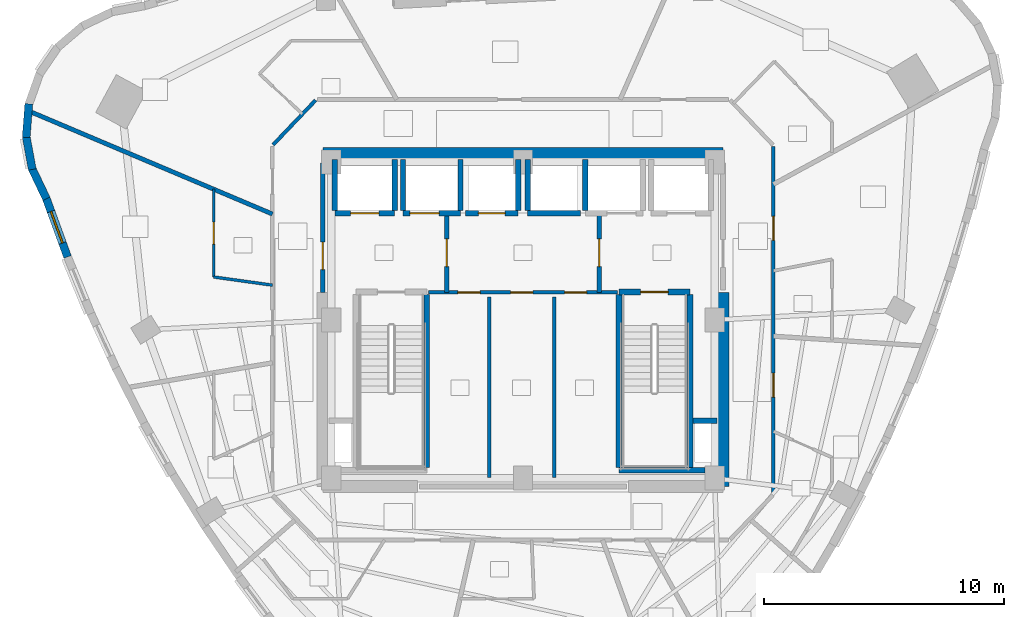
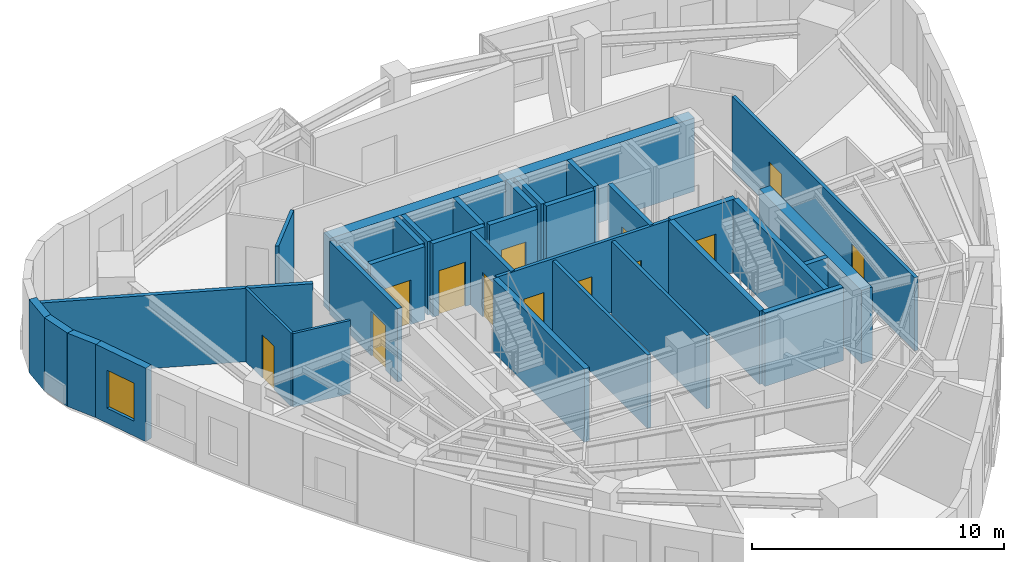
# One storey, part 6 of 11: 34 walls, 13 doors, 1 window, 14 openings.
"""IFC4 building model written with IfcOpenShell, lengths in metres."""

from ifc_helpers import new_model, si_unit, direction, frame, frame_2d, origin, place, context, subcontext, project, spatial, rectangle, extrude, material, layer, layer_set, type_object, element, fill, save


model = new_model("IFC4")

# Units and contexts
model_context = context("Model", 3, precision=1e-05, world=origin(), true_north=direction((0.0, 1.0)))
body_context = subcontext(model_context, "Body", "Model", "MODEL_VIEW")
ifc_project = project(units=[si_unit("LENGTHUNIT", "METRE"), si_unit("AREAUNIT", "SQUARE_METRE"), si_unit("VOLUMEUNIT", "CUBIC_METRE"), si_unit("PLANEANGLEUNIT", "RADIAN"), si_unit("MASSUNIT", "GRAM", prefix="KILO")], contexts=[model_context])

# Site, building, storey
site_placement = place(None, origin())
site = spatial("IfcSite", under=ifc_project, at=site_placement, CompositionType="ELEMENT")
building_placement = place(site_placement, origin())
building = spatial("IfcBuilding", under=site, at=building_placement, Name="Ndelora Gate Hotel", CompositionType="ELEMENT")
storey_placement = place(building_placement, frame((0.0, 0.0, 216.949951171875)))
storey = spatial("IfcBuildingStorey", under=building, at=storey_placement, Name="L54", CompositionType="ELEMENT", Elevation=216.949951171875)

# Walls
ifc_material_1 = material(Name="Acoustic Double-Stud Gypsum Assembly", Category="gypsum")
ifc_layer_1 = layer(ifc_material_1, 0.179931640625)
ifc_layer_set_1 = layer_set([ifc_layer_1], Name="Acoustic Double-Stud Gypsum Assembly")
wall_type_1 = type_object("IfcWallType", Name="WL-ACOUST-180", PredefinedType="PARTITIONING", material=ifc_layer_set_1)
wall_1_placement = place(storey_placement, frame((-10.449951171875, 4.419189453125, 0.0), z_axis=(0.0, 0.0, 1.0), x_axis=(-0.921035485522, 0.389478670032, 0.0)))
element("IfcWall", 1, at=wall_1_placement, inside=storey, type_object=wall_type_1, Name="L54 Interior Wall IW-3", PredefinedType="PARTITIONING", context=body_context, shape_type="SweptSolid", body=[
    extrude(rectangle(XDim=11.059326171875, YDim=0.179931640625, at=frame_2d((5.52978515625, 0.0))), origin(), (0.0, 0.0, 1.0), 3.550048828125),
])
ifc_material_2 = material(Name="Clay Brick Masonry", Category="masonry")
ifc_layer_2 = layer(ifc_material_2, 0.330078125)
ifc_layer_set_2 = layer_set([ifc_layer_2], Name="Clay Brick Masonry")
wall_type_2 = type_object("IfcWallType", Name="WL-BRICK-330", PredefinedType="SOLIDWALL", material=ifc_layer_set_2)
wall_2_placement = place(storey_placement, frame((-20.7236328125, 7.615234375, 0.0), z_axis=(0.0, 0.0, 1.0), x_axis=(0.07857999626, 0.996907811278, 0.0)))
element("IfcWall", 2, at=wall_2_placement, inside=storey, type_object=wall_type_2, Name="L54 Tower Brick Pier-and-Spandrel Wall TWR-6", PredefinedType="SOLIDWALL", context=body_context, shape_type="SweptSolid", body=[
    extrude(rectangle(XDim=1.407470703125, YDim=0.330078125, at=frame_2d((0.70361328125, 0.0))), origin(), (0.0, 0.0, 1.0), 3.550048828125),
])
wall_3_placement = place(storey_placement, frame((-20.469482421875, 6.28076171875, 0.0), z_axis=(0.0, 0.0, 1.0), x_axis=(-0.182455673353, 0.983214080077, 0.0)))
element("IfcWall", 3, at=wall_3_placement, inside=storey, type_object=wall_type_2, Name="L54 Tower Brick Pier-and-Spandrel Wall TWR-7", PredefinedType="SOLIDWALL", context=body_context, shape_type="SweptSolid", body=[
    extrude(rectangle(XDim=1.40771484375, YDim=0.330078125, at=frame_2d((0.703857421875, 0.0))), origin(), (0.0, 0.0, 1.0), 3.550048828125),
])
wall_4_placement = place(storey_placement, frame((-19.87890625, 5.0576171875, 0.0), z_axis=(0.0, 0.0, 1.0), x_axis=(-0.430694266873, 0.902497893894, 0.0)))
element("IfcWall", 4, at=wall_4_placement, inside=storey, type_object=wall_type_2, Name="L54 Tower Brick Pier-and-Spandrel Wall TWR-8", PredefinedType="SOLIDWALL", context=body_context, shape_type="SweptSolid", body=[
    extrude(rectangle(XDim=1.407470703125, YDim=0.330078125, at=frame_2d((0.70361328125, 0.0))), origin(), (0.0, 0.0, 1.0), 3.550048828125),
])

# Wall, opening, window
wall_5_placement = place(storey_placement, frame((-18.998046875, 2.630615234375, 0.0), z_axis=(0.0, 0.0, 1.0), x_axis=(-0.342100538488, 0.939663355445, 0.0)))
wall_5 = element("IfcWall", 5, at=wall_5_placement, inside=storey, type_object=wall_type_2, Name="L54 Tower Brick Pier-and-Spandrel Wall TWR-9", PredefinedType="SOLIDWALL", context=body_context, shape_type="SweptSolid", body=[
    extrude(rectangle(XDim=2.6318359375, YDim=0.330078125, at=frame_2d((1.31591796875, 0.0))), origin(), (0.0, 0.0, 1.0), 3.550048828125),
])
opening_1_placement = place(wall_5_placement, frame((0.615966796875, 0.0, 0.719970703125)))
opening_1 = element("IfcOpeningElement", 6, at=opening_1_placement, cuts=wall_5, Name="Opening W02", PredefinedType="OPENING", context=body_context, shape_type="SweptSolid", body=[
    extrude(rectangle(XDim=1.39990234375, YDim=1.840087890625, at=frame_2d((0.699951171875, 0.919921875))), frame((0.0, 0.175048828125, 0.0), z_axis=(0.0, -1.0, 0.0), x_axis=(1.0, 0.0, 0.0)), (0.0, 0.0, 1.0), 0.35009765625),
])
ifc_material_3 = material(Name="Insulated Low-E Double Glazing in Bronze Aluminium Frame", Category="aluminium")
window_type = type_object("IfcWindowType", Name="WN-DEEP-1400", PartitioningType="SINGLE_PANEL", PredefinedType="WINDOW", material=ifc_material_3)
window_placement = place(opening_1_placement, origin())
window = element("IfcWindow", 7, at=window_placement, inside=storey, type_object=window_type, Name="L54 Deep-Set Brick-Pier Window W02", OverallHeight=1.840087890625, OverallWidth=1.39990234375, PartitioningType="SINGLE_PANEL", PredefinedType="WINDOW", context=body_context, shape_type="SweptSolid", body=[
    extrude(rectangle(XDim=1.39990234375, YDim=1.840087890625, at=frame_2d((0.699951171875, 0.919921875))), frame((0.0, 0.030029296875, 0.0), z_axis=(0.0, -1.0, 0.0), x_axis=(1.0, 0.0, 0.0)), (0.0, 0.0, 1.0), 0.06005859375),
])
fill(opening_1, window)

# Walls
ifc_material_4 = material(Name="Concrete C50/60", Category="concrete")
ifc_layer_3 = layer(ifc_material_4, 0.5)
ifc_layer_set_3 = layer_set([ifc_layer_3], Name="Concrete C50/60")
wall_type_3 = type_object("IfcWallType", Name="WL-CORE-500", PredefinedType="SHEAR", material=ifc_layer_set_3)
wall_6_placement = place(storey_placement, frame((-8.35009765625, 6.949951171875, 0.0), z_axis=(0.0, 0.0, 1.0), x_axis=(1.0, 0.0, 0.0)))
element("IfcWall", 8, at=wall_6_placement, inside=storey, type_object=wall_type_3, Name="L54 Core Shear Wall N", PredefinedType="SHEAR", context=body_context, shape_type="SweptSolid", body=[
    extrude(rectangle(XDim=16.7001953125, YDim=0.5, at=frame_2d((8.35009765625, 0.0))), origin(), (0.0, 0.0, 1.0), 3.550048828125),
])
wall_7_placement = place(storey_placement, frame((8.35009765625, -6.949951171875, 0.0), z_axis=(0.0, 0.0, 1.0), x_axis=(0.0, 1.0, 0.0)))
element("IfcWall", 9, at=wall_7_placement, inside=storey, type_object=wall_type_3, Name="L54 Core Shear Wall E", PredefinedType="SHEAR", context=body_context, shape_type="SweptSolid", body=[
    extrude(rectangle(XDim=8.099853515625, YDim=0.5, at=frame_2d((4.0498046875, 0.0))), origin(), (0.0, 0.0, 1.0), 3.550048828125),
])

# Wall, opening, door
ifc_material_5 = material(Name="Concrete C40/50", Category="concrete")
ifc_layer_4 = layer(ifc_material_5, 0.199951171875)
ifc_layer_set_4 = layer_set([ifc_layer_4], Name="Concrete C40/50")
wall_type_4 = type_object("IfcWallType", Name="WL-FIRE-200", PredefinedType="PARTITIONING", material=ifc_layer_set_4)
wall_8_placement = place(storey_placement, frame((-3.179931640625, 1.14990234375, 0.0), z_axis=(0.0, 0.0, 1.0), x_axis=(0.0, 1.0, 0.0)))
wall_8 = element("IfcWall", 10, at=wall_8_placement, inside=storey, type_object=wall_type_4, Name="L54 Interior Wall IW-2", PredefinedType="PARTITIONING", context=body_context, shape_type="SweptSolid", body=[
    extrude(rectangle(XDim=3.300048828125, YDim=0.199951171875, at=frame_2d((1.64990234375, 0.0))), origin(), (0.0, 0.0, 1.0), 3.550048828125),
])
opening_2_placement = place(wall_8_placement, frame((1.080078125, 0.0, 0.0)))
opening_2 = element("IfcOpeningElement", 11, at=opening_2_placement, cuts=wall_8, Name="Opening FD1", PredefinedType="OPENING", context=body_context, shape_type="SweptSolid", body=[
    extrude(rectangle(XDim=1.14990234375, YDim=2.14990234375, at=frame_2d((0.574951171875, 1.074951171875))), frame((0.0, 0.10986328125, 0.0), z_axis=(0.0, -1.0, 0.0), x_axis=(1.0, 0.0, 0.0)), (0.0, 0.0, 1.0), 0.219970703125),
])
ifc_material_6 = material(Name="Fire-Rated Timber-Veneer Steel Core", Category="steel")
door_type_1 = type_object("IfcDoorType", Name="DR-FD60", OperationType="SINGLE_SWING_LEFT", PredefinedType="DOOR", material=ifc_material_6)
door_1_placement = place(opening_2_placement, origin())
door_1 = element("IfcDoor", 12, at=door_1_placement, inside=storey, type_object=door_type_1, Name="L54 Firefighting Lobby West Door", OperationType="SINGLE_SWING_RIGHT", OverallHeight=2.14990234375, OverallWidth=1.14990234375, PredefinedType="DOOR", context=body_context, shape_type="SweptSolid", body=[
    extrude(rectangle(XDim=1.14990234375, YDim=2.14990234375, at=frame_2d((0.574951171875, 1.074951171875))), frame((0.0, 0.02490234375, 0.0), z_axis=(0.0, -1.0, 0.0), x_axis=(1.0, 0.0, 0.0)), (0.0, 0.0, 1.0), 0.050048828125),
])
fill(opening_2, door_1)

wall_9_placement = place(storey_placement, frame((3.179931640625, 1.14990234375, 0.0), z_axis=(0.0, 0.0, 1.0), x_axis=(0.0, 1.0, 0.0)))
wall_9 = element("IfcWall", 13, at=wall_9_placement, inside=storey, type_object=wall_type_4, Name="L54 Interior Wall IW-2", PredefinedType="PARTITIONING", context=body_context, shape_type="SweptSolid", body=[
    extrude(rectangle(XDim=3.300048828125, YDim=0.199951171875, at=frame_2d((1.64990234375, 0.0))), origin(), (0.0, 0.0, 1.0), 3.550048828125),
])
opening_3_placement = place(wall_9_placement, frame((1.080078125, 0.0, 0.0)))
opening_3 = element("IfcOpeningElement", 14, at=opening_3_placement, cuts=wall_9, Name="Opening FD1", PredefinedType="OPENING", context=body_context, shape_type="SweptSolid", body=[
    extrude(rectangle(XDim=1.14990234375, YDim=2.14990234375, at=frame_2d((0.574951171875, 1.074951171875))), frame((0.0, 0.10986328125, 0.0), z_axis=(0.0, -1.0, 0.0), x_axis=(1.0, 0.0, 0.0)), (0.0, 0.0, 1.0), 0.219970703125),
])
door_2_placement = place(opening_3_placement, origin())
door_2 = element("IfcDoor", 15, at=door_2_placement, inside=storey, type_object=door_type_1, Name="L54 Firefighting Lobby East Door", OperationType="SINGLE_SWING_LEFT", OverallHeight=2.14990234375, OverallWidth=1.14990234375, PredefinedType="DOOR", context=body_context, shape_type="SweptSolid", body=[
    extrude(rectangle(XDim=1.14990234375, YDim=2.14990234375, at=frame_2d((0.574951171875, 1.074951171875))), frame((0.0, 0.02490234375, 0.0), z_axis=(0.0, -1.0, 0.0), x_axis=(1.0, 0.0, 0.0)), (0.0, 0.0, 1.0), 0.050048828125),
])
fill(opening_3, door_2)

wall_10_placement = place(storey_placement, frame((-8.35009765625, 1.14990234375, 0.0), z_axis=(0.0, 0.0, 1.0), x_axis=(0.0, 1.0, 0.0)))
wall_10 = element("IfcWall", 16, at=wall_10_placement, inside=storey, type_object=wall_type_4, Name="L54 Interior Wall IW-2", PredefinedType="PARTITIONING", context=body_context, shape_type="SweptSolid", body=[
    extrude(rectangle(XDim=5.400146484375, YDim=0.199951171875, at=frame_2d((2.7001953125, 0.0))), origin(), (0.0, 0.0, 1.0), 3.550048828125),
])
opening_4_placement = place(wall_10_placement, frame((0.949951171875, 0.0, 0.0)))
opening_4 = element("IfcOpeningElement", 17, at=opening_4_placement, cuts=wall_10, Name="Opening FD1", PredefinedType="OPENING", context=body_context, shape_type="SweptSolid", body=[
    extrude(rectangle(XDim=1.14990234375, YDim=2.14990234375, at=frame_2d((0.574951171875, 1.074951171875))), frame((0.0, 0.10986328125, 0.0), z_axis=(0.0, -1.0, 0.0), x_axis=(1.0, 0.0, 0.0)), (0.0, 0.0, 1.0), 0.219970703125),
])
door_3_placement = place(opening_4_placement, origin())
door_3 = element("IfcDoor", 18, at=door_3_placement, inside=storey, type_object=door_type_1, Name="L54 Firefighting Lobby West Corridor Door", OperationType="SINGLE_SWING_LEFT", OverallHeight=2.14990234375, OverallWidth=1.14990234375, PredefinedType="DOOR", context=body_context, shape_type="SweptSolid", body=[
    extrude(rectangle(XDim=1.14990234375, YDim=2.14990234375, at=frame_2d((0.574951171875, 1.074951171875))), frame((0.0, 0.02490234375, 0.0), z_axis=(0.0, -1.0, 0.0), x_axis=(1.0, 0.0, 0.0)), (0.0, 0.0, 1.0), 0.050048828125),
])
fill(opening_4, door_3)

# Wall, openings, doors
ifc_material_7 = material(Name="Fire-Rated Gypsum Stud Partition", Category="gypsum")
ifc_layer_5 = layer(ifc_material_7, 0.14990234375)
ifc_layer_set_5 = layer_set([ifc_layer_5], Name="Fire-Rated Gypsum Stud Partition")
wall_type_5 = type_object("IfcWallType", Name="WL-PART-150", PredefinedType="PARTITIONING", material=ifc_layer_set_5)
wall_11_placement = place(storey_placement, frame((3.949951171875, 1.14990234375, 0.0), z_axis=(0.0, 0.0, 1.0), x_axis=(-1.0, 0.0, 0.0)))
wall_11 = element("IfcWall", 19, at=wall_11_placement, inside=storey, type_object=wall_type_5, Name="L54 Interior Wall IW-5", PredefinedType="PARTITIONING", context=body_context, shape_type="SweptSolid", body=[
    extrude(rectangle(XDim=7.89990234375, YDim=0.14990234375, at=frame_2d((3.949951171875, 0.0))), origin(), (0.0, 0.0, 1.0), 3.550048828125),
])
opening_5_placement = place(wall_11_placement, frame((5.739990234375, 0.0, 0.0)))
opening_5 = element("IfcOpeningElement", 20, at=opening_5_placement, cuts=wall_11, Name="Opening D04", PredefinedType="OPENING", context=body_context, shape_type="SweptSolid", body=[
    extrude(rectangle(XDim=0.919921875, YDim=2.050048828125, at=frame_2d((0.4599609375, 1.02490234375))), frame((0.0, 0.0849609375, 0.0), z_axis=(0.0, -1.0, 0.0), x_axis=(1.0, 0.0, 0.0)), (0.0, 0.0, 1.0), 0.169921875),
])
opening_6_placement = place(wall_11_placement, frame((3.5400390625, 0.0, 0.0)))
opening_6 = element("IfcOpeningElement", 21, at=opening_6_placement, cuts=wall_11, Name="Opening D04", PredefinedType="OPENING", context=body_context, shape_type="SweptSolid", body=[
    extrude(rectangle(XDim=0.919921875, YDim=2.050048828125, at=frame_2d((0.4599609375, 1.02490234375))), frame((0.0, 0.0849609375, 0.0), z_axis=(0.0, -1.0, 0.0), x_axis=(1.0, 0.0, 0.0)), (0.0, 0.0, 1.0), 0.169921875),
])
opening_7_placement = place(wall_11_placement, frame((1.2900390625, 0.0, 0.0)))
opening_7 = element("IfcOpeningElement", 22, at=opening_7_placement, cuts=wall_11, Name="Opening D04", PredefinedType="OPENING", context=body_context, shape_type="SweptSolid", body=[
    extrude(rectangle(XDim=0.919921875, YDim=2.050048828125, at=frame_2d((0.4599609375, 1.02490234375))), frame((0.0, 0.0849609375, 0.0), z_axis=(0.0, -1.0, 0.0), x_axis=(1.0, 0.0, 0.0)), (0.0, 0.0, 1.0), 0.169921875),
])
ifc_material_8 = material(Name="Painted Steel Core Service Door", Category="steel")
door_type_2 = type_object("IfcDoorType", Name="DR-SER-920", OperationType="SINGLE_SWING_LEFT", PredefinedType="DOOR", material=ifc_material_8)
door_4_placement = place(opening_5_placement, origin())
door_4 = element("IfcDoor", 23, at=door_4_placement, inside=storey, type_object=door_type_2, Name="L54 Core Cleaners Store Door", OperationType="SINGLE_SWING_LEFT", OverallHeight=2.050048828125, OverallWidth=0.919921875, PredefinedType="DOOR", context=body_context, shape_type="SweptSolid", body=[
    extrude(rectangle(XDim=0.919921875, YDim=2.050048828125, at=frame_2d((0.4599609375, 1.02490234375))), frame((0.0, 0.02490234375, 0.0), z_axis=(0.0, -1.0, 0.0), x_axis=(1.0, 0.0, 0.0)), (0.0, 0.0, 1.0), 0.050048828125),
])
fill(opening_5, door_4)
door_5_placement = place(opening_6_placement, origin())
door_5 = element("IfcDoor", 24, at=door_5_placement, inside=storey, type_object=door_type_2, Name="L54 Core Telecoms Equipment Room Door", OperationType="SINGLE_SWING_RIGHT", OverallHeight=2.050048828125, OverallWidth=0.919921875, PredefinedType="DOOR", context=body_context, shape_type="SweptSolid", body=[
    extrude(rectangle(XDim=0.919921875, YDim=2.050048828125, at=frame_2d((0.4599609375, 1.02490234375))), frame((0.0, 0.02490234375, 0.0), z_axis=(0.0, -1.0, 0.0), x_axis=(1.0, 0.0, 0.0)), (0.0, 0.0, 1.0), 0.050048828125),
])
fill(opening_6, door_5)
door_6_placement = place(opening_7_placement, origin())
door_6 = element("IfcDoor", 25, at=door_6_placement, inside=storey, type_object=door_type_2, Name="L54 Core Electrical Metering Room Door", OperationType="SINGLE_SWING_LEFT", OverallHeight=2.050048828125, OverallWidth=0.919921875, PredefinedType="DOOR", context=body_context, shape_type="SweptSolid", body=[
    extrude(rectangle(XDim=0.919921875, YDim=2.050048828125, at=frame_2d((0.4599609375, 1.02490234375))), frame((0.0, 0.02490234375, 0.0), z_axis=(0.0, -1.0, 0.0), x_axis=(1.0, 0.0, 0.0)), (0.0, 0.0, 1.0), 0.050048828125),
])
fill(opening_7, door_6)

# Walls
for number, where, z_axis, x_axis, name in (
    (26, (-1.39990234375, -6.580078125, 0.0), (0.0, 0.0, 1.0), (0.0, 1.0, 0.0), "L54 Interior Wall IW-5"),
    (27, (1.300048828125, -6.580078125, 0.0), (0.0, 0.0, 1.0), (0.0, 1.0, 0.0), "L54 Interior Wall IW-5"),
):
    element("IfcWall", number, at=place(storey_placement, frame(where, z_axis=z_axis, x_axis=x_axis)), inside=storey, type_object=wall_type_5, Name=name, PredefinedType="PARTITIONING", context=body_context, shape_type="SweptSolid", body=[
        extrude(rectangle(XDim=7.530029296875, YDim=0.14990234375, at=frame_2d((3.76513671875, 0.0))), origin(), (0.0, 0.0, 1.0), 3.550048828125),
    ])

# Wall, openings, doors
wall_12_placement = place(storey_placement, frame((10.449951171875, 7.239990234375, 0.0), z_axis=(0.0, 0.0, 1.0), x_axis=(0.0, -1.0, 0.0)))
wall_12 = element("IfcWall", 28, at=wall_12_placement, inside=storey, type_object=wall_type_5, Name="L54 Interior Wall IW-5", PredefinedType="PARTITIONING", context=body_context, shape_type="SweptSolid", body=[
    extrude(rectangle(XDim=14.47998046875, YDim=0.14990234375, at=frame_2d((7.239990234375, 0.0))), origin(), (0.0, 0.0, 1.0), 3.550048828125),
])
opening_8_placement = place(wall_12_placement, frame((9.45947265625, 0.0, 0.0)))
opening_8 = element("IfcOpeningElement", 29, at=opening_8_placement, cuts=wall_12, Name="Opening D01", PredefinedType="OPENING", context=body_context, shape_type="SweptSolid", body=[
    extrude(rectangle(XDim=1.0, YDim=2.14990234375, at=frame_2d((0.5, 1.074951171875))), frame((0.0, 0.0849609375, 0.0), z_axis=(0.0, -1.0, 0.0), x_axis=(1.0, 0.0, 0.0)), (0.0, 0.0, 1.0), 0.169921875),
])
opening_9_placement = place(wall_12_placement, frame((2.921142578125, 0.0, 0.0)))
opening_9 = element("IfcOpeningElement", 30, at=opening_9_placement, cuts=wall_12, Name="Opening D01", PredefinedType="OPENING", context=body_context, shape_type="SweptSolid", body=[
    extrude(rectangle(XDim=1.0, YDim=2.14990234375, at=frame_2d((0.5, 1.074951171875))), frame((0.0, 0.0849609375, 0.0), z_axis=(0.0, -1.0, 0.0), x_axis=(1.0, 0.0, 0.0)), (0.0, 0.0, 1.0), 0.169921875),
])
ifc_material_9 = material(Name="Acoustic Hardwood Guest Entrance Door", Category="wood")
door_type_3 = type_object("IfcDoorType", Name="DR-COR-1000", OperationType="SINGLE_SWING_LEFT", PredefinedType="DOOR", material=ifc_material_9)
door_7_placement = place(opening_8_placement, origin())
door_7 = element("IfcDoor", 31, at=door_7_placement, inside=storey, type_object=door_type_3, Name="L54 Altitude King Guest Room 5701 Entrance Door", OperationType="SINGLE_SWING_LEFT", OverallHeight=2.14990234375, OverallWidth=1.0, PredefinedType="DOOR", context=body_context, shape_type="SweptSolid", body=[
    extrude(rectangle(XDim=1.0, YDim=2.14990234375, at=frame_2d((0.5, 1.074951171875))), frame((0.0, 0.02490234375, 0.0), z_axis=(0.0, -1.0, 0.0), x_axis=(1.0, 0.0, 0.0)), (0.0, 0.0, 1.0), 0.050048828125),
])
fill(opening_8, door_7)
door_8_placement = place(opening_9_placement, origin())
door_8 = element("IfcDoor", 32, at=door_8_placement, inside=storey, type_object=door_type_3, Name="L54 Altitude Twin Guest Room 5702 Entrance Door", OperationType="SINGLE_SWING_RIGHT", OverallHeight=2.14990234375, OverallWidth=1.0, PredefinedType="DOOR", context=body_context, shape_type="SweptSolid", body=[
    extrude(rectangle(XDim=1.0, YDim=2.14990234375, at=frame_2d((0.5, 1.074951171875))), frame((0.0, 0.02490234375, 0.0), z_axis=(0.0, -1.0, 0.0), x_axis=(1.0, 0.0, 0.0)), (0.0, 0.0, 1.0), 0.050048828125),
])
fill(opening_9, door_8)

# Walls
wall_13_placement = place(storey_placement, frame((-10.42236328125, 7.30908203125, 0.0), z_axis=(0.0, 0.0, 1.0), x_axis=(0.689960858356, 0.723846678473, 0.0)))
element("IfcWall", 33, at=wall_13_placement, inside=storey, type_object=wall_type_5, Name="L54 Interior Wall IW-5", PredefinedType="PARTITIONING", context=body_context, shape_type="SweptSolid", body=[
    extrude(rectangle(XDim=2.572021484375, YDim=0.14990234375, at=frame_2d((1.2861328125, 0.0))), origin(), (0.0, 0.0, 1.0), 3.550048828125),
])
ifc_layer_6 = layer(ifc_material_5, 0.219970703125)
ifc_layer_set_6 = layer_set([ifc_layer_6], Name="Concrete C40/50")
wall_type_6 = type_object("IfcWallType", Name="WL-SHAFT-220", PredefinedType="PARTITIONING", material=ifc_layer_set_6)
wall_14_placement = place(storey_placement, frame((7.090087890625, -4.199951171875, 0.0), z_axis=(0.0, 0.0, 1.0), x_axis=(1.0, 0.0, 0.0)))
element("IfcWall", 34, at=wall_14_placement, inside=storey, type_object=wall_type_6, Name="L54 Interior Wall IW-1", PredefinedType="PARTITIONING", context=body_context, shape_type="SweptSolid", body=[
    extrude(rectangle(XDim=1.010009765625, YDim=0.219970703125, at=frame_2d((0.5048828125, 0.0))), origin(), (0.0, 0.0, 1.0), 3.550048828125),
])

# Wall, opening, door
wall_15_placement = place(storey_placement, frame((-7.85009765625, 4.449951171875, 0.0), z_axis=(0.0, 0.0, 1.0), x_axis=(1.0, 0.0, 0.0)))
wall_15 = element("IfcWall", 35, at=wall_15_placement, inside=storey, type_object=wall_type_6, Name="L54 Interior Wall IW-1", PredefinedType="PARTITIONING", context=body_context, shape_type="SweptSolid", body=[
    extrude(rectangle(XDim=2.5, YDim=0.219970703125, at=frame_2d((1.25, 0.0))), origin(), (0.0, 0.0, 1.0), 3.550048828125),
])
opening_10_placement = place(wall_15_placement, frame((0.659912109375, 0.0, 0.0)))
opening_10 = element("IfcOpeningElement", 36, at=opening_10_placement, cuts=wall_15, Name="Opening LD5", PredefinedType="OPENING", context=body_context, shape_type="SweptSolid", body=[
    extrude(rectangle(XDim=1.179931640625, YDim=2.14990234375, at=frame_2d((0.58984375, 1.074951171875))), frame((0.0, 0.1201171875, 0.0), z_axis=(0.0, -1.0, 0.0), x_axis=(1.0, 0.0, 0.0)), (0.0, 0.0, 1.0), 0.239990234375),
])
ifc_material_10 = material(Name="Firefighting Lift Stainless Sliding Landing Door", Category="metal")
door_type_4 = type_object("IfcDoorType", Name="DR-LD5", OperationType="DOUBLE_DOOR_SLIDING", PredefinedType="DOOR", material=ifc_material_10)
door_9_placement = place(opening_10_placement, origin())
door_9 = element("IfcDoor", 37, at=door_9_placement, inside=storey, type_object=door_type_4, Name="L54 Lift Landing Sliding Door FFL1", OperationType="DOUBLE_DOOR_SLIDING", OverallHeight=2.14990234375, OverallWidth=1.179931640625, PredefinedType="DOOR", context=body_context, shape_type="SweptSolid", body=[
    extrude(rectangle(XDim=1.179931640625, YDim=2.14990234375, at=frame_2d((0.58984375, 1.074951171875))), frame((0.0, 0.02490234375, 0.0), z_axis=(0.0, -1.0, 0.0), x_axis=(1.0, 0.0, 0.0)), (0.0, 0.0, 1.0), 0.050048828125),
])
fill(opening_10, door_9)

# Walls
wall_16_placement = place(storey_placement, frame((-7.85009765625, 4.570068359375, 0.0), z_axis=(0.0, 0.0, 1.0), x_axis=(0.0, 1.0, 0.0)))
element("IfcWall", 38, at=wall_16_placement, inside=storey, type_object=wall_type_6, Name="L54 Interior Wall IW-1", PredefinedType="PARTITIONING", context=body_context, shape_type="SweptSolid", body=[
    extrude(rectangle(XDim=2.1298828125, YDim=0.219970703125, at=frame_2d((1.06494140625, 0.0))), origin(), (0.0, 0.0, 1.0), 3.179931640625),
])
wall_17_placement = place(storey_placement, frame((-5.35009765625, 4.570068359375, 0.0), z_axis=(0.0, 0.0, 1.0), x_axis=(0.0, 1.0, 0.0)))
element("IfcWall", 39, at=wall_17_placement, inside=storey, type_object=wall_type_6, Name="L54 Interior Wall IW-1", PredefinedType="PARTITIONING", context=body_context, shape_type="SweptSolid", body=[
    extrude(rectangle(XDim=2.1298828125, YDim=0.219970703125, at=frame_2d((1.06494140625, 0.0))), origin(), (0.0, 0.0, 1.0), 3.550048828125),
])

# Wall, opening, door
wall_18_placement = place(storey_placement, frame((-5.0, 4.449951171875, 0.0), z_axis=(0.0, 0.0, 1.0), x_axis=(1.0, 0.0, 0.0)))
wall_18 = element("IfcWall", 40, at=wall_18_placement, inside=storey, type_object=wall_type_6, Name="L54 Interior Wall IW-1", PredefinedType="PARTITIONING", context=body_context, shape_type="SweptSolid", body=[
    extrude(rectangle(XDim=2.39990234375, YDim=0.219970703125, at=frame_2d((1.199951171875, 0.0))), origin(), (0.0, 0.0, 1.0), 3.550048828125),
])
opening_11_placement = place(wall_18_placement, frame((0.280029296875, 0.0, 0.0)))
opening_11 = element("IfcOpeningElement", 41, at=opening_11_placement, cuts=wall_18, Name="Opening LD6", PredefinedType="OPENING", context=body_context, shape_type="SweptSolid", body=[
    extrude(rectangle(XDim=1.219970703125, YDim=2.14990234375, at=frame_2d((0.60986328125, 1.074951171875))), frame((0.0, 0.1201171875, 0.0), z_axis=(0.0, -1.0, 0.0), x_axis=(1.0, 0.0, 0.0)), (0.0, 0.0, 1.0), 0.239990234375),
])
ifc_material_11 = material(Name="Heavy-Duty Service Lift Sliding Landing Door", Category="wood")
door_type_5 = type_object("IfcDoorType", Name="DR-LD6", OperationType="DOUBLE_DOOR_SLIDING", PredefinedType="DOOR", material=ifc_material_11)
door_10_placement = place(opening_11_placement, origin())
door_10 = element("IfcDoor", 42, at=door_10_placement, inside=storey, type_object=door_type_5, Name="L54 Lift Landing Sliding Door SVL1", OperationType="DOUBLE_DOOR_SLIDING", OverallHeight=2.14990234375, OverallWidth=1.219970703125, PredefinedType="DOOR", context=body_context, shape_type="SweptSolid", body=[
    extrude(rectangle(XDim=1.219970703125, YDim=2.14990234375, at=frame_2d((0.60986328125, 1.074951171875))), frame((0.0, 0.02490234375, 0.0), z_axis=(0.0, -1.0, 0.0), x_axis=(1.0, 0.0, 0.0)), (0.0, 0.0, 1.0), 0.050048828125),
])
fill(opening_11, door_10)

# Walls
for number, where, z_axis, x_axis, name in (
    (43, (-5.0, 4.570068359375, 0.0), (0.0, 0.0, 1.0), (0.0, 1.0, 0.0), "L54 Interior Wall IW-1"),
    (44, (-2.60009765625, 4.570068359375, 0.0), (0.0, 0.0, 1.0), (0.0, 1.0, 0.0), "L54 Interior Wall IW-1"),
    (45, (2.60009765625, 4.570068359375, 0.0), (0.0, 0.0, 1.0), (0.0, 1.0, 0.0), "L54 Interior Wall IW-1"),
):
    element("IfcWall", number, at=place(storey_placement, frame(where, z_axis=z_axis, x_axis=x_axis)), inside=storey, type_object=wall_type_6, Name=name, PredefinedType="PARTITIONING", context=body_context, shape_type="SweptSolid", body=[
        extrude(rectangle(XDim=2.1298828125, YDim=0.219970703125, at=frame_2d((1.06494140625, 0.0))), origin(), (0.0, 0.0, 1.0), 3.550048828125),
    ])

# Wall, opening, door
wall_19_placement = place(storey_placement, frame((-2.39990234375, 4.449951171875, 0.0), z_axis=(0.0, 0.0, 1.0), x_axis=(1.0, 0.0, 0.0)))
wall_19 = element("IfcWall", 46, at=wall_19_placement, inside=storey, type_object=wall_type_6, Name="L54 Interior Wall IW-1", PredefinedType="PARTITIONING", context=body_context, shape_type="SweptSolid", body=[
    extrude(rectangle(XDim=2.199951171875, YDim=0.219970703125, at=frame_2d((1.10009765625, 0.0))), origin(), (0.0, 0.0, 1.0), 3.550048828125),
])
opening_12_placement = place(wall_19_placement, frame((0.5400390625, 0.0, 0.0)))
opening_12 = element("IfcOpeningElement", 47, at=opening_12_placement, cuts=wall_19, Name="Opening LD3", PredefinedType="OPENING", context=body_context, shape_type="SweptSolid", body=[
    extrude(rectangle(XDim=1.1201171875, YDim=2.14990234375, at=frame_2d((0.56005859375, 1.074951171875))), frame((0.0, 0.1201171875, 0.0), z_axis=(0.0, -1.0, 0.0), x_axis=(1.0, 0.0, 0.0)), (0.0, 0.0, 1.0), 0.239990234375),
])
ifc_material_12 = material(Name="Brushed Bronze Stainless Lift Landing Door", Category="metal")
door_type_6 = type_object("IfcDoorType", Name="DR-LD3", OperationType="DOUBLE_DOOR_SLIDING", PredefinedType="DOOR", material=ifc_material_12)
door_11_placement = place(opening_12_placement, origin())
door_11 = element("IfcDoor", 48, at=door_11_placement, inside=storey, type_object=door_type_6, Name="L54 Lift Landing Sliding Door P3A", OperationType="DOUBLE_DOOR_SLIDING", OverallHeight=2.14990234375, OverallWidth=1.1201171875, PredefinedType="DOOR", context=body_context, shape_type="SweptSolid", body=[
    extrude(rectangle(XDim=1.1201171875, YDim=2.14990234375, at=frame_2d((0.56005859375, 1.074951171875))), frame((0.0, 0.02490234375, 0.0), z_axis=(0.0, -1.0, 0.0), x_axis=(1.0, 0.0, 0.0)), (0.0, 0.0, 1.0), 0.050048828125),
])
fill(opening_12, door_11)

# Walls
wall_20_placement = place(storey_placement, frame((-0.199951171875, 4.570068359375, 0.0), z_axis=(0.0, 0.0, 1.0), x_axis=(0.0, 1.0, 0.0)))
element("IfcWall", 49, at=wall_20_placement, inside=storey, type_object=wall_type_6, Name="L54 Interior Wall IW-1", PredefinedType="PARTITIONING", context=body_context, shape_type="SweptSolid", body=[
    extrude(rectangle(XDim=2.1298828125, YDim=0.219970703125, at=frame_2d((1.06494140625, 0.0))), origin(), (0.0, 0.0, 1.0), 3.550048828125),
])
wall_21_placement = place(storey_placement, frame((0.199951171875, 4.449951171875, 0.0), z_axis=(0.0, 0.0, 1.0), x_axis=(1.0, 0.0, 0.0)))
element("IfcWall", 50, at=wall_21_placement, inside=storey, type_object=wall_type_6, Name="L54 Interior Wall IW-1", PredefinedType="PARTITIONING", context=body_context, shape_type="SweptSolid", body=[
    extrude(rectangle(XDim=2.199951171875, YDim=0.219970703125, at=frame_2d((1.10009765625, 0.0))), origin(), (0.0, 0.0, 1.0), 3.550048828125),
])
wall_22_placement = place(storey_placement, frame((0.199951171875, 4.570068359375, 0.0), z_axis=(0.0, 0.0, 1.0), x_axis=(0.0, 1.0, 0.0)))
element("IfcWall", 51, at=wall_22_placement, inside=storey, type_object=wall_type_6, Name="L54 Interior Wall IW-1", PredefinedType="PARTITIONING", context=body_context, shape_type="SweptSolid", body=[
    extrude(rectangle(XDim=2.1298828125, YDim=0.219970703125, at=frame_2d((1.06494140625, 0.0))), origin(), (0.0, 0.0, 1.0), 3.550048828125),
])
ifc_layer_7 = layer(ifc_material_4, 0.239990234375)
ifc_layer_set_7 = layer_set([ifc_layer_7], Name="Concrete C50/60")
wall_type_7 = type_object("IfcWallType", Name="WL-STAIR-240", PredefinedType="SHEAR", material=ifc_layer_set_7)
for number, where, z_axis, x_axis, name in (
    (52, (-4.010009765625, -6.159912109375, 0.0), (0.0, 0.0, 1.0), (0.0, 1.0, 0.0), "L54 Stair Core Shear Wall SW-ST"),
    (53, (4.010009765625, -6.159912109375, 0.0), (0.0, 0.0, 1.0), (0.0, 1.0, 0.0), "L54 Stair Core Shear Wall SW-ST"),
    (54, (6.969970703125, -6.159912109375, 0.0), (0.0, 0.0, 1.0), (0.0, 1.0, 0.0), "L54 Stair Core Shear Wall SW-ST"),
):
    element("IfcWall", number, at=place(storey_placement, frame(where, z_axis=z_axis, x_axis=x_axis)), inside=storey, type_object=wall_type_7, Name=name, PredefinedType="SHEAR", context=body_context, shape_type="SweptSolid", body=[
        extrude(rectangle(XDim=7.219970703125, YDim=0.239990234375, at=frame_2d((3.60986328125, 0.0))), origin(), (0.0, 0.0, 1.0), 3.550048828125),
    ])
wall_23_placement = place(storey_placement, frame((4.010009765625, -6.27001953125, 0.0), z_axis=(0.0, 0.0, 1.0), x_axis=(1.0, 0.0, 0.0)))
element("IfcWall", 55, at=wall_23_placement, inside=storey, type_object=wall_type_7, Name="L54 Stair Core Shear Wall SW-ST", PredefinedType="SHEAR", context=body_context, shape_type="SweptSolid", body=[
    extrude(rectangle(XDim=3.590087890625, YDim=0.239990234375, at=frame_2d((1.794921875, 0.0))), origin(), (0.0, 0.0, 1.0), 3.550048828125),
])

# Wall, opening, door
wall_24_placement = place(storey_placement, frame((4.010009765625, 1.169921875, 0.0), z_axis=(0.0, 0.0, 1.0), x_axis=(1.0, 0.0, 0.0)))
wall_24 = element("IfcWall", 56, at=wall_24_placement, inside=storey, type_object=wall_type_7, Name="L54 Stair Core Shear Wall SW-ST", PredefinedType="SHEAR", context=body_context, shape_type="SweptSolid", body=[
    extrude(rectangle(XDim=2.9599609375, YDim=0.239990234375, at=frame_2d((1.47998046875, 0.0))), origin(), (0.0, 0.0, 1.0), 3.550048828125),
])
opening_13_placement = place(wall_24_placement, frame((0.89990234375, 0.0, 0.0)))
opening_13 = element("IfcOpeningElement", 57, at=opening_13_placement, cuts=wall_24, Name="Opening FD1", PredefinedType="OPENING", context=body_context, shape_type="SweptSolid", body=[
    extrude(rectangle(XDim=1.14990234375, YDim=2.14990234375, at=frame_2d((0.574951171875, 1.074951171875))), frame((0.0, 0.1298828125, 0.0), z_axis=(0.0, -1.0, 0.0), x_axis=(1.0, 0.0, 0.0)), (0.0, 0.0, 1.0), 0.260009765625),
])
door_12_placement = place(opening_13_placement, origin())
door_12 = element("IfcDoor", 58, at=door_12_placement, inside=storey, type_object=door_type_1, Name="L54 Exit Stair ST5 Door", OperationType="SINGLE_SWING_RIGHT", OverallHeight=2.14990234375, OverallWidth=1.14990234375, PredefinedType="DOOR", context=body_context, shape_type="SweptSolid", body=[
    extrude(rectangle(XDim=1.14990234375, YDim=2.14990234375, at=frame_2d((0.574951171875, 1.074951171875))), frame((0.0, 0.02490234375, 0.0), z_axis=(0.0, -1.0, 0.0), x_axis=(1.0, 0.0, 0.0)), (0.0, 0.0, 1.0), 0.050048828125),
])
fill(opening_13, door_12)

# Wall
ifc_material_13 = material(Name="Moisture-Resistant Bathroom Tile Partition", Category="gypsum")
ifc_layer_8 = layer(ifc_material_13, 0.1201171875)
ifc_layer_set_8 = layer_set([ifc_layer_8], Name="Moisture-Resistant Bathroom Tile Partition")
wall_type_8 = type_object("IfcWallType", Name="WL-WET-120", PredefinedType="PARTITIONING", material=ifc_layer_set_8)
wall_25_placement = place(storey_placement, frame((-12.89990234375, 1.793701171875, 0.0), z_axis=(0.0, 0.0, 1.0), x_axis=(0.990475454298, -0.137689412929, 0.0)))
element("IfcWall", 59, at=wall_25_placement, inside=storey, type_object=wall_type_8, Name="L54 Interior Wall IW-7", PredefinedType="PARTITIONING", context=body_context, shape_type="SweptSolid", body=[
    extrude(rectangle(XDim=2.473388671875, YDim=0.1201171875, at=frame_2d((1.23681640625, 0.0))), origin(), (0.0, 0.0, 1.0), 3.550048828125),
])

# Wall, opening, door
wall_26_placement = place(storey_placement, frame((-12.89990234375, 1.793701171875, 0.0), z_axis=(0.0, 0.0, 1.0), x_axis=(0.0, 1.0, 0.0)))
wall_26 = element("IfcWall", 60, at=wall_26_placement, inside=storey, type_object=wall_type_8, Name="L54 Interior Wall IW-7", PredefinedType="PARTITIONING", context=body_context, shape_type="SweptSolid", body=[
    extrude(rectangle(XDim=3.661376953125, YDim=0.1201171875, at=frame_2d((1.83056640625, 0.0))), origin(), (0.0, 0.0, 1.0), 3.550048828125),
])
opening_14_placement = place(wall_26_placement, frame((1.37060546875, 0.0, 0.0)))
opening_14 = element("IfcOpeningElement", 61, at=opening_14_placement, cuts=wall_26, Name="Opening D03", PredefinedType="OPENING", context=body_context, shape_type="SweptSolid", body=[
    extrude(rectangle(XDim=0.919921875, YDim=2.10009765625, at=frame_2d((0.4599609375, 1.050048828125))), frame((0.0, 0.070068359375, 0.0), z_axis=(0.0, -1.0, 0.0), x_axis=(1.0, 0.0, 0.0)), (0.0, 0.0, 1.0), 0.14013671875),
])
ifc_material_14 = material(Name="Moisture-Resistant Hardwood En-Suite Door", Category="wood")
door_type_7 = type_object("IfcDoorType", Name="DR-BATH-920", OperationType="SINGLE_SWING_LEFT", PredefinedType="DOOR", material=ifc_material_14)
door_13_placement = place(opening_14_placement, origin())
door_13 = element("IfcDoor", 62, at=door_13_placement, inside=storey, type_object=door_type_7, Name="L54 En-suite Bathroom 5705 Door", OperationType="SINGLE_SWING_RIGHT", OverallHeight=2.10009765625, OverallWidth=0.919921875, PredefinedType="DOOR", context=body_context, shape_type="SweptSolid", body=[
    extrude(rectangle(XDim=0.919921875, YDim=2.10009765625, at=frame_2d((0.4599609375, 1.050048828125))), frame((0.0, 0.02490234375, 0.0), z_axis=(0.0, -1.0, 0.0), x_axis=(1.0, 0.0, 0.0)), (0.0, 0.0, 1.0), 0.050048828125),
])
fill(opening_14, door_13)

save(model, "model.ifc")
